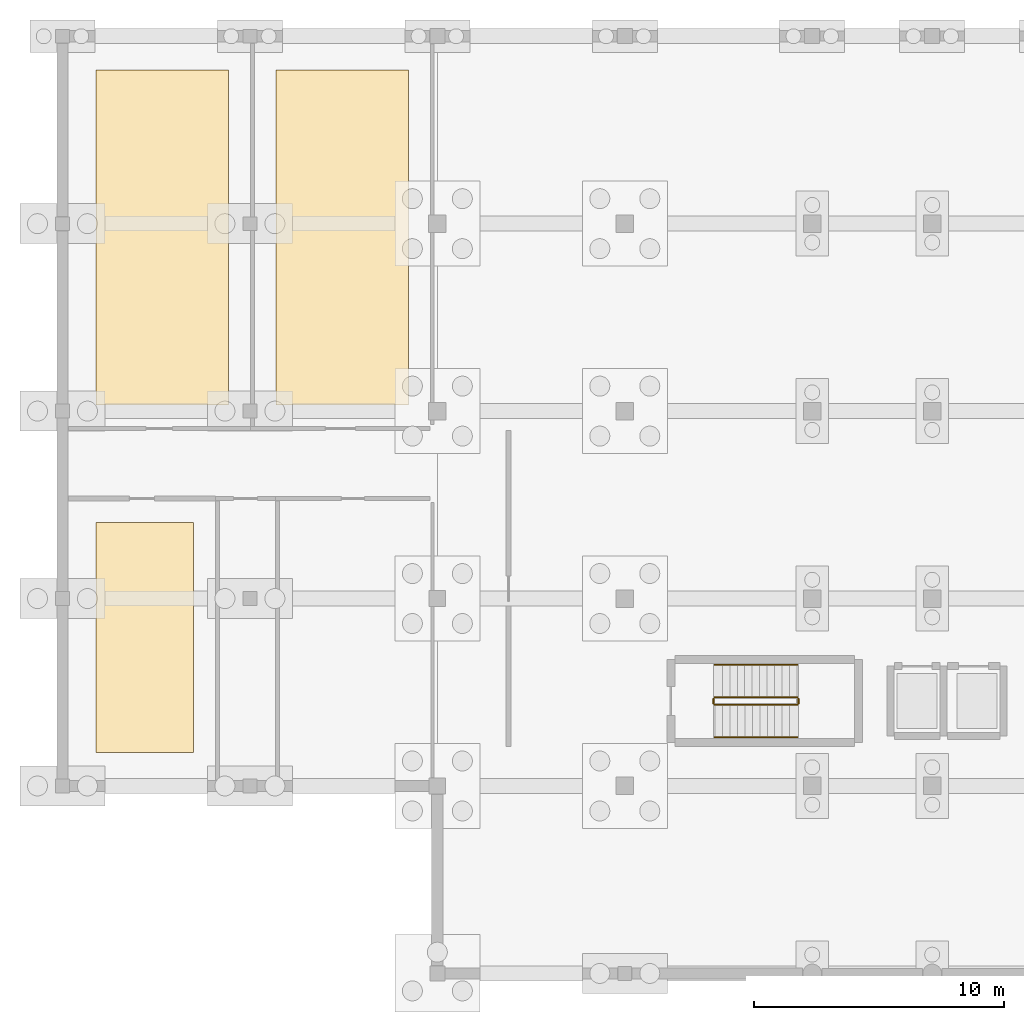
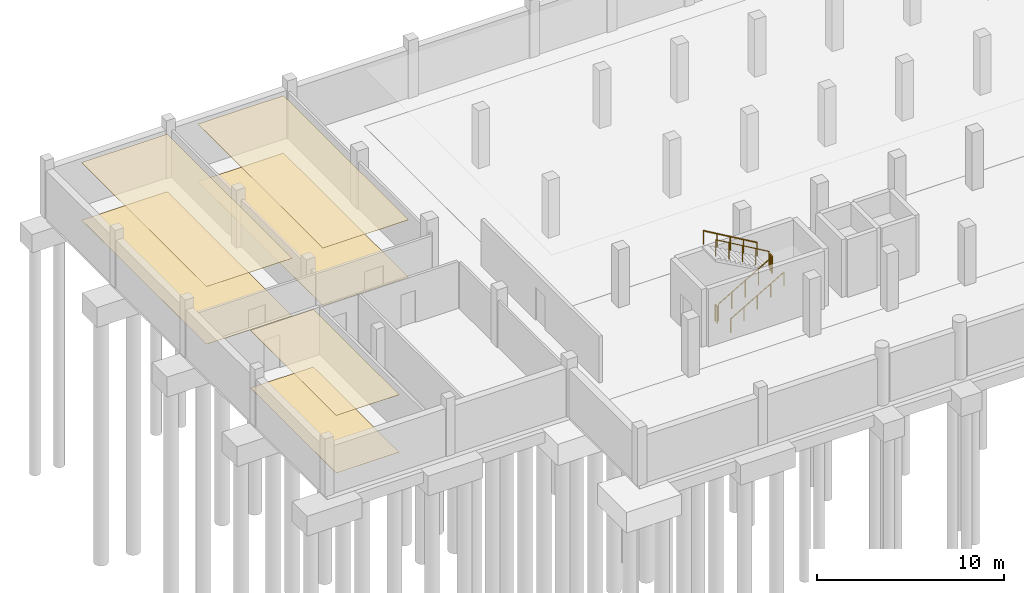
# One storey, part 12 of 17: 6 coverings, 6 railings.
"""IFC4 building model written with IfcOpenShell, lengths in metres."""

from ifc_helpers import new_model, si_unit, direction, frame, origin, origin_2d, place, context, subcontext, project, spatial, polyline, circle, outline, extrude, material, layer, layer_set, type_object, element, save


model = new_model("IFC4")

# Units and contexts
model_context = context("Model", 3, precision=1e-05, world=origin(), true_north=direction((0.0, 1.0)))
body_context = subcontext(model_context, "Body", "Model", "MODEL_VIEW")
ifc_project = project(units=[si_unit("LENGTHUNIT", "METRE"), si_unit("AREAUNIT", "SQUARE_METRE"), si_unit("VOLUMEUNIT", "CUBIC_METRE"), si_unit("PLANEANGLEUNIT", "RADIAN"), si_unit("MASSUNIT", "GRAM", prefix="KILO")], contexts=[model_context])

# Site, building, storey
site_placement = place(None, origin())
site = spatial("IfcSite", under=ifc_project, at=site_placement, CompositionType="ELEMENT")
building_placement = place(site_placement, origin())
building = spatial("IfcBuilding", under=site, at=building_placement, Name="Mawjan Specialist Oncology Clinic", CompositionType="ELEMENT")
storey_placement = place(building_placement, frame((0.0, 0.0, -4.199951171875)))
storey = spatial("IfcBuildingStorey", under=building, at=storey_placement, Name="B01", CompositionType="ELEMENT", Elevation=-4.199951171875)

# Coverings
ifc_material_1 = material(Name="Hygienic antimicrobial acoustic mineral ceiling tile", Category="gypsum")
ifc_layer_1 = layer(ifc_material_1, 0.02001953125, Name="Hygienic antimicrobial acoustic mineral ceiling tile", Category="gypsum")
ifc_layer_set_1 = layer_set([ifc_layer_1], Name="Hygienic antimicrobial acoustic mineral ceiling tile")
covering_type_1 = type_object("IfcCoveringType", Name="CLG-AC20", PredefinedType="CEILING", material=ifc_layer_set_1)
covering_1_placement = place(storey_placement, frame((0.0, 0.0, 3.7548828125)))
element("IfcCovering", 1, at=covering_1_placement, inside=storey, type_object=covering_type_1, Name="B01 Central Sterile Reprocessing Room Acoustic Ceiling", PredefinedType="CEILING", context=body_context, shape_type="SweptSolid", body=[
    extrude(outline(polyline([(36.64990234375, 111.949951171875), (36.64990234375, 98.550048828125), (31.35009765625, 98.550048828125), (31.35009765625, 111.949951171875), (36.64990234375, 111.949951171875)])), origin(), (0.0, 0.0, 1.0), 0.02001953125),
])
covering_2_placement = place(storey_placement, frame((0.0, 0.0, 3.7548828125)))
element("IfcCovering", 2, at=covering_2_placement, inside=storey, type_object=covering_type_1, Name="B01 CSSD Sterile Autoclave Hall Acoustic Ceiling", PredefinedType="CEILING", context=body_context, shape_type="SweptSolid", body=[
    extrude(outline(polyline([(43.85009765625, 111.949951171875), (43.85009765625, 98.550048828125), (38.550048828125, 98.550048828125), (38.550048828125, 111.949951171875), (43.85009765625, 111.949951171875)])), origin(), (0.0, 0.0, 1.0), 0.02001953125),
])
covering_3_placement = place(storey_placement, frame((0.0, 0.0, 3.7548828125)))
element("IfcCovering", 3, at=covering_3_placement, inside=storey, type_object=covering_type_1, Name="B01 Bulk Pharmacy Vault Acoustic Ceiling", PredefinedType="CEILING", context=body_context, shape_type="SweptSolid", body=[
    extrude(outline(polyline([(35.25, 93.85009765625), (35.25, 84.64990234375), (31.35009765625, 84.64990234375), (31.35009765625, 93.85009765625), (35.25, 93.85009765625)])), origin(), (0.0, 0.0, 1.0), 0.02001953125),
])
ifc_material_2 = material(Name="Seamless clinical anti-static homogeneous vinyl flooring", Category="plastic")
ifc_layer_2 = layer(ifc_material_2, 0.008056640625, Name="Seamless clinical anti-static homogeneous vinyl flooring", Category="plastic")
ifc_layer_set_2 = layer_set([ifc_layer_2], Name="Seamless clinical anti-static homogeneous vinyl flooring")
covering_type_2 = type_object("IfcCoveringType", Name="FLR-VN08", PredefinedType="FLOORING", material=ifc_layer_set_2)
covering_4_placement = place(storey_placement, origin())
element("IfcCovering", 4, at=covering_4_placement, inside=storey, type_object=covering_type_2, Name="B01 Central Sterile Reprocessing Room Clinical Vinyl Flooring", PredefinedType="FLOORING", context=body_context, shape_type="SweptSolid", body=[
    extrude(outline(polyline([(36.64990234375, 111.949951171875), (36.64990234375, 98.550048828125), (31.35009765625, 98.550048828125), (31.35009765625, 111.949951171875), (36.64990234375, 111.949951171875)])), origin(), (0.0, 0.0, 1.0), 0.008056640625),
])
covering_5_placement = place(storey_placement, origin())
element("IfcCovering", 5, at=covering_5_placement, inside=storey, type_object=covering_type_2, Name="B01 CSSD Sterile Autoclave Hall Clinical Vinyl Flooring", PredefinedType="FLOORING", context=body_context, shape_type="SweptSolid", body=[
    extrude(outline(polyline([(43.85009765625, 111.949951171875), (43.85009765625, 98.550048828125), (38.550048828125, 98.550048828125), (38.550048828125, 111.949951171875), (43.85009765625, 111.949951171875)])), origin(), (0.0, 0.0, 1.0), 0.008056640625),
])
covering_6_placement = place(storey_placement, origin())
element("IfcCovering", 6, at=covering_6_placement, inside=storey, type_object=covering_type_2, Name="B01 Bulk Pharmacy Vault Clinical Vinyl Flooring", PredefinedType="FLOORING", context=body_context, shape_type="SweptSolid", body=[
    extrude(outline(polyline([(35.25, 93.85009765625), (35.25, 84.64990234375), (31.35009765625, 84.64990234375), (31.35009765625, 93.85009765625), (35.25, 93.85009765625)])), origin(), (0.0, 0.0, 1.0), 0.008056640625),
])

# Railings
ifc_material_3 = material(Name="Powder-coated steel stair guard with vertical infill pickets", Category="steel")
railing_type_1 = type_object("IfcRailingType", Name="GR-110", PredefinedType="GUARDRAIL", material=ifc_material_3)
railing_1_placement = place(storey_placement, frame((56.10009765625, 86.550048828125, 0.175048828125)))
element("IfcRailing", 7, at=railing_1_placement, inside=storey, type_object=railing_type_1, Name="B01 ST-03 stair guard 1", PredefinedType="GUARDRAIL", context=body_context, shape_type="SweptSolid", body=[
    extrude(circle(Radius=0.02392578125, at=origin_2d()), frame((0.0, 0.0, 1.076171875), z_axis=(0.863788172461, 0.0, 0.503855131081), x_axis=(0.0, 1.0, 0.0)), (0.0, 0.0, 1.0), 3.820068359375),
    extrude(circle(Radius=0.02099609375, at=origin_2d()), origin(), (0.0, 0.0, 1.0), 1.052001953125),
    extrude(circle(Radius=0.02099609375, at=origin_2d()), frame((0.824951171875, 0.0, 0.481201171875)), (0.0, 0.0, 1.0), 1.052001953125),
    extrude(circle(Radius=0.02099609375, at=origin_2d()), frame((1.64990234375, 0.0, 0.96240234375)), (0.0, 0.0, 1.0), 1.052001953125),
    extrude(circle(Radius=0.02099609375, at=origin_2d()), frame((2.474853515625, 0.0, 1.443603515625)), (0.0, 0.0, 1.0), 1.052001953125),
    extrude(circle(Radius=0.02099609375, at=origin_2d()), frame((3.2998046875, 0.0, 1.9248046875)), (0.0, 0.0, 1.0), 1.052001953125),
])
railing_2_placement = place(storey_placement, frame((59.449951171875, 86.60009765625, 2.099853515625)))
element("IfcRailing", 8, at=railing_2_placement, inside=storey, type_object=railing_type_1, Name="B01 ST-03 stair guard 2", PredefinedType="GUARDRAIL", context=body_context, shape_type="SweptSolid", body=[
    extrude(circle(Radius=0.02392578125, at=origin_2d()), frame((0.0, 0.0, 1.076171875), z_axis=(0.0, 1.0, 0.0), x_axis=(-1.0, 0.0, 0.0)), (0.0, 0.0, 1.0), 0.199951171875),
    extrude(circle(Radius=0.02099609375, at=origin_2d()), origin(), (0.0, 0.0, 1.0), 1.052001953125),
    extrude(circle(Radius=0.02099609375, at=origin_2d()), frame((0.0, 0.199951171875, 0.0)), (0.0, 0.0, 1.0), 1.052001953125),
])
railing_3_placement = place(storey_placement, frame((59.39990234375, 86.85009765625, 2.27490234375)))
element("IfcRailing", 9, at=railing_3_placement, inside=storey, type_object=railing_type_1, Name="B01 ST-03 stair guard 3", PredefinedType="GUARDRAIL", context=body_context, shape_type="SweptSolid", body=[
    extrude(circle(Radius=0.02392578125, at=origin_2d()), frame((0.0, 0.0, 1.076171875), z_axis=(-0.863760357493, 0.0, 0.503902812876), x_axis=(0.0, -1.0, 0.0)), (0.0, 0.0, 1.0), 3.8203125),
    extrude(circle(Radius=0.02099609375, at=origin_2d()), origin(), (0.0, 0.0, 1.0), 1.052001953125),
    extrude(circle(Radius=0.02099609375, at=origin_2d()), frame((-0.824951171875, 0.0, 0.481201171875)), (0.0, 0.0, 1.0), 1.052001953125),
    extrude(circle(Radius=0.02099609375, at=origin_2d()), frame((-1.64990234375, 0.0, 0.96240234375)), (0.0, 0.0, 1.0), 1.052001953125),
    extrude(circle(Radius=0.02099609375, at=origin_2d()), frame((-2.474853515625, 0.0, 1.44384765625)), (0.0, 0.0, 1.0), 1.052001953125),
    extrude(circle(Radius=0.02099609375, at=origin_2d()), frame((-3.2998046875, 0.0, 1.925048828125)), (0.0, 0.0, 1.0), 1.052001953125),
])
railing_4_placement = place(storey_placement, frame((56.050048828125, 86.60009765625, 0.0)))
element("IfcRailing", 10, at=railing_4_placement, inside=storey, type_object=railing_type_1, Name="B01 ST-03 stair guard 4", PredefinedType="GUARDRAIL", context=body_context, shape_type="SweptSolid", body=[
    extrude(circle(Radius=0.02392578125, at=origin_2d()), frame((0.0, 0.0, 1.076171875), z_axis=(0.0, 1.0, 0.0), x_axis=(-1.0, 0.0, 0.0)), (0.0, 0.0, 1.0), 0.199951171875),
    extrude(circle(Radius=0.02099609375, at=origin_2d()), origin(), (0.0, 0.0, 1.0), 1.052001953125),
    extrude(circle(Radius=0.02099609375, at=origin_2d()), frame((0.0, 0.199951171875, 0.0)), (0.0, 0.0, 1.0), 1.052001953125),
])
ifc_material_4 = material(Name="Brushed stainless-steel tubular handrail", Category="steel")
railing_type_2 = type_object("IfcRailingType", Name="HR-090", PredefinedType="HANDRAIL", material=ifc_material_4)
railing_5_placement = place(storey_placement, frame((56.10009765625, 85.25, 0.175048828125)))
element("IfcRailing", 11, at=railing_5_placement, inside=storey, type_object=railing_type_2, Name="B01 ST-03 stair handrail 1", PredefinedType="HANDRAIL", context=body_context, shape_type="SweptSolid", body=[
    extrude(circle(Radius=0.02392578125, at=origin_2d()), frame((0.0, 0.0, 0.8759765625), z_axis=(0.863788172461, 0.0, 0.503855131081), x_axis=(0.0, 1.0, 0.0)), (0.0, 0.0, 1.0), 3.820068359375),
    extrude(circle(Radius=0.02099609375, at=origin_2d()), origin(), (0.0, 0.0, 1.0), 0.851806640625),
    extrude(circle(Radius=0.02099609375, at=origin_2d()), frame((0.824951171875, 0.0, 0.481201171875)), (0.0, 0.0, 1.0), 0.851806640625),
    extrude(circle(Radius=0.02099609375, at=origin_2d()), frame((1.64990234375, 0.0, 0.96240234375)), (0.0, 0.0, 1.0), 0.851806640625),
    extrude(circle(Radius=0.02099609375, at=origin_2d()), frame((2.474853515625, 0.0, 1.443603515625)), (0.0, 0.0, 1.0), 0.851806640625),
    extrude(circle(Radius=0.02099609375, at=origin_2d()), frame((3.2998046875, 0.0, 1.9248046875)), (0.0, 0.0, 1.0), 0.851806640625),
])
railing_6_placement = place(storey_placement, frame((59.39990234375, 88.14990234375, 2.27490234375)))
element("IfcRailing", 12, at=railing_6_placement, inside=storey, type_object=railing_type_2, Name="B01 ST-03 stair handrail 2", PredefinedType="HANDRAIL", context=body_context, shape_type="SweptSolid", body=[
    extrude(circle(Radius=0.02392578125, at=origin_2d()), frame((0.0, 0.0, 0.8759765625), z_axis=(-0.863760357493, 0.0, 0.503902812876), x_axis=(0.0, -1.0, 0.0)), (0.0, 0.0, 1.0), 3.8203125),
    extrude(circle(Radius=0.02099609375, at=origin_2d()), origin(), (0.0, 0.0, 1.0), 0.851806640625),
    extrude(circle(Radius=0.02099609375, at=origin_2d()), frame((-0.824951171875, 0.0, 0.481201171875)), (0.0, 0.0, 1.0), 0.851806640625),
    extrude(circle(Radius=0.02099609375, at=origin_2d()), frame((-1.64990234375, 0.0, 0.96240234375)), (0.0, 0.0, 1.0), 0.851806640625),
    extrude(circle(Radius=0.02099609375, at=origin_2d()), frame((-2.474853515625, 0.0, 1.44384765625)), (0.0, 0.0, 1.0), 0.851806640625),
    extrude(circle(Radius=0.02099609375, at=origin_2d()), frame((-3.2998046875, 0.0, 1.925048828125)), (0.0, 0.0, 1.0), 0.851806640625),
])

save(model, "model.ifc")
